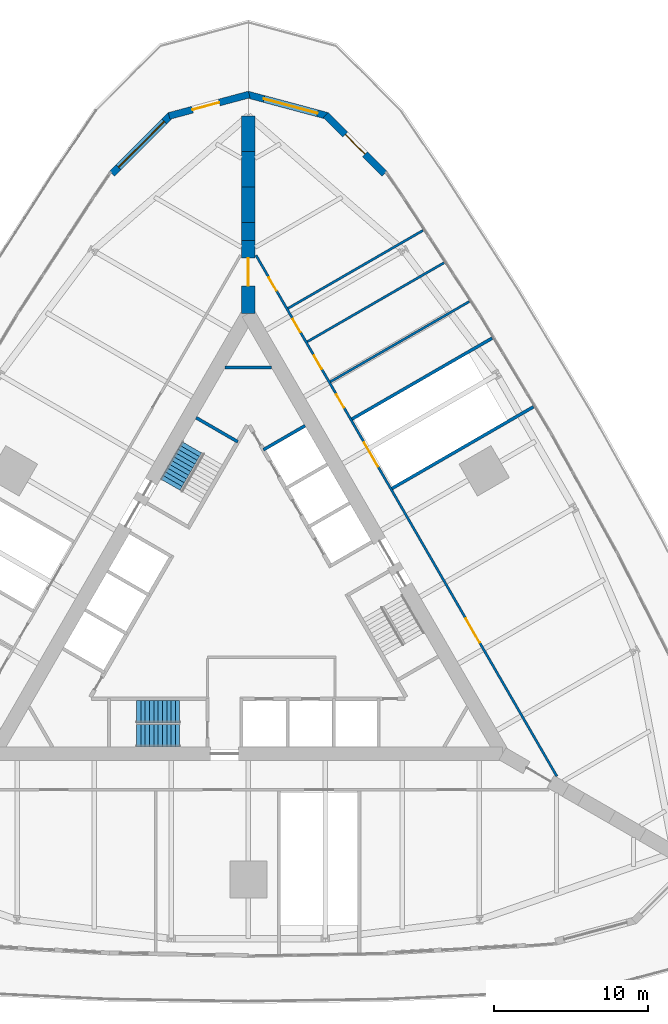
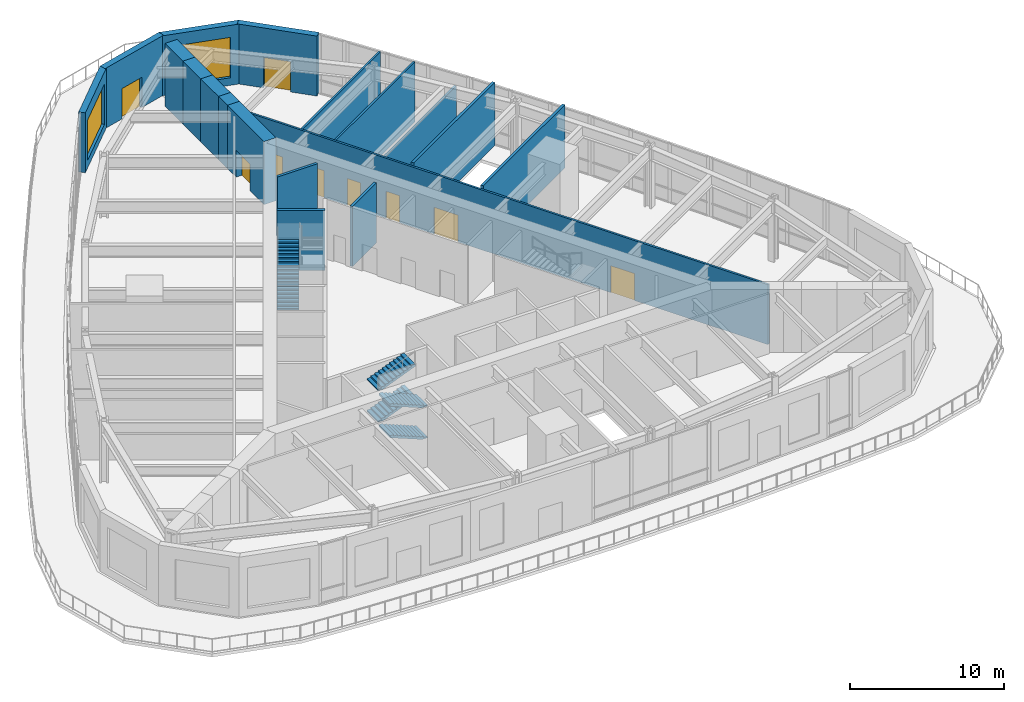
# One storey, part 10 of 13: 18 walls, 9 doors, 6 stair flights, 2 windows, 11 openings, 2 elements without a shape of their own.
"""IFC4 building model written with IfcOpenShell, lengths in metres."""

from ifc_helpers import new_model, si_unit, direction, frame, frame_2d, origin, place, context, subcontext, project, spatial, polyline, rectangle, outline, extrude, material, layer, layer_set, type_object, element, fill, aggregate, save


model = new_model("IFC4")

# Units and contexts
model_context = context("Model", 3, precision=1e-05, world=origin(), true_north=direction((0.0, 1.0)))
body_context = subcontext(model_context, "Body", "Model", "MODEL_VIEW")
ifc_project = project(units=[si_unit("LENGTHUNIT", "METRE"), si_unit("AREAUNIT", "SQUARE_METRE"), si_unit("VOLUMEUNIT", "CUBIC_METRE"), si_unit("PLANEANGLEUNIT", "RADIAN"), si_unit("MASSUNIT", "GRAM", prefix="KILO")], contexts=[model_context])

# Site, building, storey
site_placement = place(None, origin())
site = spatial("IfcSite", under=ifc_project, at=site_placement, CompositionType="ELEMENT")
building_placement = place(site_placement, origin())
building = spatial("IfcBuilding", under=site, at=building_placement, Name="Trikona Tower", CompositionType="ELEMENT")
storey_placement = place(building_placement, frame((0.0, 0.0, 17.5)))
storey = spatial("IfcBuildingStorey", under=building, at=storey_placement, Name="L03", CompositionType="ELEMENT", Elevation=17.5)

# Wall, opening, door
ifc_material_1 = material(Name="Brick-faced precast concrete", Category="masonry")
ifc_layer_1 = layer(ifc_material_1, 0.449951171875)
ifc_layer_set_1 = layer_set([ifc_layer_1], Name="Brick-faced corner wall 450")
wall_type_1 = type_object("IfcWallType", Name="Brick-faced corner wall 450", PredefinedType="SOLIDWALL", material=ifc_layer_set_1)
wall_1_placement = place(storey_placement, frame((8.8408203125, 28.131103515625, 0.0), z_axis=(0.0, 0.0, 1.0), x_axis=(-0.707106781187, 0.707106781187, 0.0)))
wall_1 = element("IfcWall", 1, at=wall_1_placement, inside=storey, type_object=wall_type_1, Name="External wall L03-16", PredefinedType="SOLIDWALL", context=body_context, shape_type="SweptSolid", body=[
    extrude(rectangle(XDim=5.379150390625, YDim=0.449951171875, at=frame_2d((2.689453125, 0.0))), origin(), (0.0, 0.0, 1.0), 4.75),
])
opening_1_placement = place(wall_1_placement, frame((1.789794921875, 0.0, 0.0)))
opening_1 = element("IfcOpeningElement", 2, at=opening_1_placement, cuts=wall_1, Name="Opening D8", PredefinedType="OPENING", context=body_context, shape_type="SweptSolid", body=[
    extrude(rectangle(XDim=1.800048828125, YDim=2.39990234375, at=frame_2d((0.89990234375, 1.199951171875))), frame((0.0, 0.23486328125, 0.0), z_axis=(0.0, -1.0, 0.0), x_axis=(1.0, 0.0, 0.0)), (0.0, 0.0, 1.0), 0.469970703125),
])
ifc_material_2 = material(Name="Aluminium-framed glazed door", Category="aluminium")
door_type_1 = type_object("IfcDoorType", Name="Terrace door pair 1800x2400", OperationType="DOUBLE_DOOR_SINGLE_SWING", PredefinedType="DOOR", material=ifc_material_2)
door_1_placement = place(opening_1_placement, origin())
door_1 = element("IfcDoor", 3, at=door_1_placement, inside=storey, type_object=door_type_1, Name="Terrace door Yoga studio", OperationType="DOUBLE_DOOR_SINGLE_SWING", OverallHeight=2.39990234375, OverallWidth=1.800048828125, PredefinedType="DOOR", context=body_context, shape_type="SweptSolid", body=[
    extrude(rectangle(XDim=1.800048828125, YDim=2.39990234375, at=frame_2d((0.89990234375, 1.199951171875))), frame((0.0, 0.02490234375, 0.0), z_axis=(0.0, -1.0, 0.0), x_axis=(1.0, 0.0, 0.0)), (0.0, 0.0, 1.0), 0.050048828125),
])
fill(opening_1, door_1)

# Wall, opening, window
wall_2_placement = place(storey_placement, frame((5.137939453125, 31.876708984375, 0.0), z_axis=(0.0, 0.0, 1.0), x_axis=(-0.965923133363, 0.258829095032, 0.0)))
wall_2 = element("IfcWall", 4, at=wall_2_placement, inside=storey, type_object=wall_type_1, Name="External wall L03-17", PredefinedType="SOLIDWALL", context=body_context, shape_type="SweptSolid", body=[
    extrude(rectangle(XDim=5.37939453125, YDim=0.449951171875, at=frame_2d((2.689697265625, 0.0))), origin(), (0.0, 0.0, 1.0), 4.75),
])
opening_2_placement = place(wall_2_placement, frame((0.67138671875, 0.0, 0.60009765625)))
opening_2 = element("IfcOpeningElement", 5, at=opening_2_placement, cuts=wall_2, Name="Opening W3632", PredefinedType="OPENING", context=body_context, shape_type="SweptSolid", body=[
    extrude(rectangle(XDim=3.60009765625, YDim=3.199951171875, at=frame_2d((1.800048828125, 1.60009765625))), frame((0.0, 0.23486328125, 0.0), z_axis=(0.0, -1.0, 0.0), x_axis=(1.0, 0.0, 0.0)), (0.0, 0.0, 1.0), 0.469970703125),
])
ifc_material_3 = material(Name="Aluminium-framed double glazing", Category="aluminium")
window_type_1 = type_object("IfcWindowType", Name="Window 3600x3200", PartitioningType="SINGLE_PANEL", PredefinedType="WINDOW", material=ifc_material_3)
window_1_placement = place(opening_2_placement, origin())
window_1 = element("IfcWindow", 6, at=window_1_placement, inside=storey, type_object=window_type_1, Name="Window L03-YOG", OverallHeight=3.199951171875, OverallWidth=3.60009765625, PartitioningType="SINGLE_PANEL", PredefinedType="WINDOW", context=body_context, shape_type="SweptSolid", body=[
    extrude(rectangle(XDim=3.60009765625, YDim=3.199951171875, at=frame_2d((1.800048828125, 1.60009765625))), frame((0.0, 0.030029296875, 0.0), z_axis=(0.0, -1.0, 0.0), x_axis=(1.0, 0.0, 0.0)), (0.0, 0.0, 1.0), 0.06005859375),
])
fill(opening_2, window_1)

# Wall, opening, door
wall_3_placement = place(storey_placement, frame((0.05810546875, 33.26904296875, 0.0), z_axis=(0.0, 0.0, 1.0), x_axis=(-0.965923133363, -0.258829095032, 0.0)))
wall_3 = element("IfcWall", 7, at=wall_3_placement, inside=storey, type_object=wall_type_1, Name="External wall L03-18", PredefinedType="SOLIDWALL", context=body_context, shape_type="SweptSolid", body=[
    extrude(rectangle(XDim=5.37939453125, YDim=0.449951171875, at=frame_2d((2.689697265625, 0.0))), origin(), (0.0, 0.0, 1.0), 4.75),
])
opening_3_placement = place(wall_3_placement, frame((2.008056640625, 0.0, 0.0)))
opening_3 = element("IfcOpeningElement", 8, at=opening_3_placement, cuts=wall_3, Name="Opening D8", PredefinedType="OPENING", context=body_context, shape_type="SweptSolid", body=[
    extrude(rectangle(XDim=1.800048828125, YDim=2.39990234375, at=frame_2d((0.89990234375, 1.199951171875))), frame((0.0, 0.23486328125, 0.0), z_axis=(0.0, -1.0, 0.0), x_axis=(1.0, 0.0, 0.0)), (0.0, 0.0, 1.0), 0.469970703125),
])
door_2_placement = place(opening_3_placement, origin())
door_2 = element("IfcDoor", 9, at=door_2_placement, inside=storey, type_object=door_type_1, Name="Terrace door Business centre", OperationType="DOUBLE_DOOR_SINGLE_SWING", OverallHeight=2.39990234375, OverallWidth=1.800048828125, PredefinedType="DOOR", context=body_context, shape_type="SweptSolid", body=[
    extrude(rectangle(XDim=1.800048828125, YDim=2.39990234375, at=frame_2d((0.89990234375, 1.199951171875))), frame((0.0, 0.02490234375, 0.0), z_axis=(0.0, -1.0, 0.0), x_axis=(1.0, 0.0, 0.0)), (0.0, 0.0, 1.0), 0.050048828125),
])
fill(opening_3, door_2)

# Wall, opening, window
wall_4_placement = place(storey_placement, frame((-5.037109375, 31.934814453125, 0.0), z_axis=(0.0, 0.0, 1.0), x_axis=(-0.707106781187, -0.707106781187, 0.0)))
wall_4 = element("IfcWall", 10, at=wall_4_placement, inside=storey, type_object=wall_type_1, Name="External wall L03-19", PredefinedType="SOLIDWALL", context=body_context, shape_type="SweptSolid", body=[
    extrude(rectangle(XDim=5.379150390625, YDim=0.449951171875, at=frame_2d((2.689453125, 0.0))), origin(), (0.0, 0.0, 1.0), 4.75),
])
opening_4_placement = place(wall_4_placement, frame((0.589599609375, 0.0, 0.60009765625)))
opening_4 = element("IfcOpeningElement", 11, at=opening_4_placement, cuts=wall_4, Name="Opening W4232", PredefinedType="OPENING", context=body_context, shape_type="SweptSolid", body=[
    extrude(rectangle(XDim=4.199951171875, YDim=3.199951171875, at=frame_2d((2.10009765625, 1.60009765625))), frame((0.0, 0.23486328125, 0.0), z_axis=(0.0, -1.0, 0.0), x_axis=(1.0, 0.0, 0.0)), (0.0, 0.0, 1.0), 0.469970703125),
])
ifc_material_4 = material(Name="Aluminium-framed double glazing", Category="aluminium")
window_type_2 = type_object("IfcWindowType", Name="Window 4200x3200", PartitioningType="SINGLE_PANEL", PredefinedType="WINDOW", material=ifc_material_4)
window_2_placement = place(opening_4_placement, origin())
window_2 = element("IfcWindow", 12, at=window_2_placement, inside=storey, type_object=window_type_2, Name="Window L03-BUS", OverallHeight=3.199951171875, OverallWidth=4.199951171875, PartitioningType="SINGLE_PANEL", PredefinedType="WINDOW", context=body_context, shape_type="SweptSolid", body=[
    extrude(rectangle(XDim=4.199951171875, YDim=3.199951171875, at=frame_2d((2.10009765625, 1.60009765625))), frame((0.0, 0.030029296875, 0.0), z_axis=(0.0, -1.0, 0.0), x_axis=(1.0, 0.0, 0.0)), (0.0, 0.0, 1.0), 0.06005859375),
])
fill(opening_4, window_2)

# Wall, opening, door
ifc_material_5 = material(Name="Concrete f'c 10000 psi", Category="concrete")
ifc_layer_2 = layer(ifc_material_5, 0.89990234375)
ifc_layer_set_2 = layer_set([ifc_layer_2], Name="Buttress wall 900")
wall_type_2 = type_object("IfcWallType", Name="Buttress wall 900", PredefinedType="SHEAR", material=ifc_layer_set_2)
wall_5_placement = place(storey_placement, frame((0.0, 19.052490234375, 0.0), z_axis=(0.0, 0.0, 1.0), x_axis=(0.0, 1.0, 0.0)))
wall_5 = element("IfcWall", 13, at=wall_5_placement, inside=storey, type_object=wall_type_2, Name="Buttress wall 2", PredefinedType="SHEAR", context=body_context, shape_type="SweptSolid", body=[
    extrude(rectangle(XDim=4.74609375, YDim=0.89990234375, at=frame_2d((2.373046875, 0.0))), origin(), (0.0, 0.0, 1.0), 5.0),
])
opening_5_placement = place(wall_5_placement, frame((1.800048828125, 0.0, 0.0)))
opening_5 = element("IfcOpeningElement", 14, at=opening_5_placement, cuts=wall_5, Name="Opening D10", PredefinedType="OPENING", context=body_context, shape_type="SweptSolid", body=[
    extrude(rectangle(XDim=1.800048828125, YDim=2.1298828125, at=frame_2d((0.89990234375, 1.06494140625))), frame((0.0, 0.4599609375, 0.0), z_axis=(0.0, -1.0, 0.0), x_axis=(1.0, 0.0, 0.0)), (0.0, 0.0, 1.0), 0.919921875),
])
ifc_material_6 = material(Name="Hollow metal door and frame", Category="steel")
door_type_2 = type_object("IfcDoorType", Name="Cross-corridor door pair 1800x2130", OperationType="DOUBLE_DOOR_DOUBLE_SWING", PredefinedType="DOOR", material=ifc_material_6)
door_3_placement = place(opening_5_placement, origin())
door_3 = element("IfcDoor", 15, at=door_3_placement, inside=storey, type_object=door_type_2, Name="Cross-corridor door 2", OperationType="DOUBLE_DOOR_DOUBLE_SWING", OverallHeight=2.1298828125, OverallWidth=1.800048828125, PredefinedType="DOOR", context=body_context, shape_type="SweptSolid", body=[
    extrude(rectangle(XDim=1.800048828125, YDim=2.1298828125, at=frame_2d((0.89990234375, 1.06494140625))), frame((0.0, 0.02490234375, 0.0), z_axis=(0.0, -1.0, 0.0), x_axis=(1.0, 0.0, 0.0)), (0.0, 0.0, 1.0), 0.050048828125),
])
fill(opening_5, door_3)

# Walls
wall_6_placement = place(storey_placement, frame((0.0, 23.798583984375, 0.0), z_axis=(0.0, 0.0, 1.0), x_axis=(0.0, 1.0, 0.0)))
element("IfcWall", 16, at=wall_6_placement, inside=storey, type_object=wall_type_2, Name="Buttress wall 2 part 2", PredefinedType="SHEAR", context=body_context, shape_type="SweptSolid", body=[
    extrude(rectangle(XDim=1.15478515625, YDim=0.89990234375, at=frame_2d((0.577392578125, 0.0))), origin(), (0.0, 0.0, 1.0), 5.0),
])
wall_7_placement = place(storey_placement, frame((0.0, 24.953369140625, 0.0), z_axis=(0.0, 0.0, 1.0), x_axis=(0.0, 1.0, 0.0)))
element("IfcWall", 17, at=wall_7_placement, inside=storey, type_object=wall_type_2, Name="Buttress wall 2 part 3", PredefinedType="SHEAR", context=body_context, shape_type="SweptSolid", body=[
    extrude(rectangle(XDim=2.309326171875, YDim=0.89990234375, at=frame_2d((1.15478515625, 0.0))), origin(), (0.0, 0.0, 1.0), 5.0),
])
wall_8_placement = place(storey_placement, frame((0.0, 27.2626953125, 0.0), z_axis=(0.0, 0.0, 1.0), x_axis=(0.0, 1.0, 0.0)))
element("IfcWall", 18, at=wall_8_placement, inside=storey, type_object=wall_type_2, Name="Buttress wall 2 part 4", PredefinedType="SHEAR", context=body_context, shape_type="SweptSolid", body=[
    extrude(rectangle(XDim=2.3095703125, YDim=0.89990234375, at=frame_2d((1.15478515625, 0.0))), origin(), (0.0, 0.0, 1.0), 5.0),
])
wall_9_placement = place(storey_placement, frame((0.0, 29.572265625, 0.0), z_axis=(0.0, 0.0, 1.0), x_axis=(0.0, 1.0, 0.0)))
element("IfcWall", 19, at=wall_9_placement, inside=storey, type_object=wall_type_2, Name="Buttress wall 2 part 5", PredefinedType="SHEAR", context=body_context, shape_type="SweptSolid", body=[
    extrude(rectangle(XDim=2.309326171875, YDim=0.89990234375, at=frame_2d((1.15478515625, 0.0))), origin(), (0.0, 0.0, 1.0), 5.0),
])

# Wall, openings, doors
ifc_material_7 = material(Name="Metal stud and gypsum board, 1-hour", Category="gypsum")
ifc_layer_3 = layer(ifc_material_7, 0.14990234375)
ifc_layer_set_3 = layer_set([ifc_layer_3], Name="Corridor wall 150")
wall_type_3 = type_object("IfcWallType", Name="Corridor wall 150", PredefinedType="PARTITIONING", material=ifc_layer_set_3)
wall_10_placement = place(storey_placement, frame((20.027099609375, -10.9853515625, 0.0), z_axis=(0.0, 0.0, 1.0), x_axis=(-0.500001677587, 0.866024435227, 0.0)))
wall_10 = element("IfcWall", 20, at=wall_10_placement, inside=storey, type_object=wall_type_3, Name="Corridor wall L03-2", PredefinedType="PARTITIONING", context=body_context, shape_type="SweptSolid", body=[
    extrude(rectangle(XDim=39.053955078125, YDim=0.14990234375, at=frame_2d((19.52685546875, 0.0))), origin(), (0.0, 0.0, 1.0), 4.75),
])
opening_6_placement = place(wall_10_placement, frame((10.013427734375, 0.0, 0.0)))
opening_6 = element("IfcOpeningElement", 21, at=opening_6_placement, cuts=wall_10, Name="Opening D4", PredefinedType="OPENING", context=body_context, shape_type="SweptSolid", body=[
    extrude(rectangle(XDim=1.800048828125, YDim=2.1298828125, at=frame_2d((0.89990234375, 1.06494140625))), frame((0.0, 0.0849609375, 0.0), z_axis=(0.0, -1.0, 0.0), x_axis=(1.0, 0.0, 0.0)), (0.0, 0.0, 1.0), 0.169921875),
])
opening_7_placement = place(wall_10_placement, frame((23.22705078125, 0.0, 0.0)))
opening_7 = element("IfcOpeningElement", 22, at=opening_7_placement, cuts=wall_10, Name="Opening D11", PredefinedType="OPENING", context=body_context, shape_type="SweptSolid", body=[
    extrude(rectangle(XDim=1.800048828125, YDim=2.1298828125, at=frame_2d((0.89990234375, 1.06494140625))), frame((0.0, 0.0849609375, 0.0), z_axis=(0.0, -1.0, 0.0), x_axis=(1.0, 0.0, 0.0)), (0.0, 0.0, 1.0), 0.169921875),
])
opening_8_placement = place(wall_10_placement, frame((27.626953125, 0.0, 0.0)))
opening_8 = element("IfcOpeningElement", 23, at=opening_8_placement, cuts=wall_10, Name="Opening D3", PredefinedType="OPENING", context=body_context, shape_type="SweptSolid", body=[
    extrude(rectangle(XDim=1.0, YDim=2.1298828125, at=frame_2d((0.5, 1.06494140625))), frame((0.0, 0.0849609375, 0.0), z_axis=(0.0, -1.0, 0.0), x_axis=(1.0, 0.0, 0.0)), (0.0, 0.0, 1.0), 0.169921875),
])
opening_9_placement = place(wall_10_placement, frame((30.527099609375, 0.0, 0.0)))
opening_9 = element("IfcOpeningElement", 24, at=opening_9_placement, cuts=wall_10, Name="Opening D3", PredefinedType="OPENING", context=body_context, shape_type="SweptSolid", body=[
    extrude(rectangle(XDim=1.0, YDim=2.1298828125, at=frame_2d((0.5, 1.06494140625))), frame((0.0, 0.0849609375, 0.0), z_axis=(0.0, -1.0, 0.0), x_axis=(1.0, 0.0, 0.0)), (0.0, 0.0, 1.0), 0.169921875),
])
opening_10_placement = place(wall_10_placement, frame((33.277099609375, 0.0, 0.0)))
opening_10 = element("IfcOpeningElement", 25, at=opening_10_placement, cuts=wall_10, Name="Opening D3", PredefinedType="OPENING", context=body_context, shape_type="SweptSolid", body=[
    extrude(rectangle(XDim=1.0, YDim=2.1298828125, at=frame_2d((0.5, 1.06494140625))), frame((0.0, 0.0849609375, 0.0), z_axis=(0.0, -1.0, 0.0), x_axis=(1.0, 0.0, 0.0)), (0.0, 0.0, 1.0), 0.169921875),
])
opening_11_placement = place(wall_10_placement, frame((36.390380859375, 0.0, 0.0)))
opening_11 = element("IfcOpeningElement", 26, at=opening_11_placement, cuts=wall_10, Name="Opening D3", PredefinedType="OPENING", context=body_context, shape_type="SweptSolid", body=[
    extrude(rectangle(XDim=1.0, YDim=2.1298828125, at=frame_2d((0.5, 1.06494140625))), frame((0.0, 0.0849609375, 0.0), z_axis=(0.0, -1.0, 0.0), x_axis=(1.0, 0.0, 0.0)), (0.0, 0.0, 1.0), 0.169921875),
])
ifc_material_8 = material(Name="Steel door frame with solid-core timber leaf", Category="steel")
door_type_3 = type_object("IfcDoorType", Name="Assembly door pair 1800x2130", OperationType="DOUBLE_DOOR_SINGLE_SWING", PredefinedType="DOOR", material=ifc_material_8)
door_4_placement = place(opening_6_placement, origin())
door_4 = element("IfcDoor", 27, at=door_4_placement, inside=storey, type_object=door_type_3, Name="Door Fitness centre", OperationType="DOUBLE_DOOR_SINGLE_SWING", OverallHeight=2.1298828125, OverallWidth=1.800048828125, PredefinedType="DOOR", context=body_context, shape_type="SweptSolid", body=[
    extrude(rectangle(XDim=1.800048828125, YDim=2.1298828125, at=frame_2d((0.89990234375, 1.06494140625))), frame((0.0, 0.02490234375, 0.0), z_axis=(0.0, -1.0, 0.0), x_axis=(1.0, 0.0, 0.0)), (0.0, 0.0, 1.0), 0.050048828125),
])
fill(opening_6, door_4)
ifc_material_9 = material(Name="Hollow metal door and frame", Category="steel")
door_type_4 = type_object("IfcDoorType", Name="Podium stair door 1800x2130", OperationType="DOUBLE_DOOR_SINGLE_SWING", PredefinedType="DOOR", material=ifc_material_9)
door_5_placement = place(opening_7_placement, origin())
door_5 = element("IfcDoor", 28, at=door_5_placement, inside=storey, type_object=door_type_4, Name="Stair door Podium stair PS2", OperationType="DOUBLE_DOOR_SINGLE_SWING", OverallHeight=2.1298828125, OverallWidth=1.800048828125, PredefinedType="DOOR", context=body_context, shape_type="SweptSolid", body=[
    extrude(rectangle(XDim=1.800048828125, YDim=2.1298828125, at=frame_2d((0.89990234375, 1.06494140625))), frame((0.0, 0.02490234375, 0.0), z_axis=(0.0, -1.0, 0.0), x_axis=(1.0, 0.0, 0.0)), (0.0, 0.0, 1.0), 0.050048828125),
])
fill(opening_7, door_5)
ifc_material_10 = material(Name="Steel door frame with solid-core timber leaf", Category="steel")
door_type_5 = type_object("IfcDoorType", Name="Room door 1000x2130", OperationType="SINGLE_SWING_LEFT", PredefinedType="DOOR", material=ifc_material_10)
door_6_placement = place(opening_8_placement, origin())
door_6 = element("IfcDoor", 29, at=door_6_placement, inside=storey, type_object=door_type_5, Name="Door Men's toilets", OperationType="SINGLE_SWING_LEFT", OverallHeight=2.1298828125, OverallWidth=1.0, PredefinedType="DOOR", context=body_context, shape_type="SweptSolid", body=[
    extrude(rectangle(XDim=1.0, YDim=2.1298828125, at=frame_2d((0.5, 1.06494140625))), frame((0.0, 0.02490234375, 0.0), z_axis=(0.0, -1.0, 0.0), x_axis=(1.0, 0.0, 0.0)), (0.0, 0.0, 1.0), 0.050048828125),
])
fill(opening_8, door_6)
door_7_placement = place(opening_9_placement, origin())
door_7 = element("IfcDoor", 30, at=door_7_placement, inside=storey, type_object=door_type_5, Name="Door Women's toilets", OperationType="SINGLE_SWING_RIGHT", OverallHeight=2.1298828125, OverallWidth=1.0, PredefinedType="DOOR", context=body_context, shape_type="SweptSolid", body=[
    extrude(rectangle(XDim=1.0, YDim=2.1298828125, at=frame_2d((0.5, 1.06494140625))), frame((0.0, 0.02490234375, 0.0), z_axis=(0.0, -1.0, 0.0), x_axis=(1.0, 0.0, 0.0)), (0.0, 0.0, 1.0), 0.050048828125),
])
fill(opening_9, door_7)
door_8_placement = place(opening_10_placement, origin())
door_8 = element("IfcDoor", 31, at=door_8_placement, inside=storey, type_object=door_type_5, Name="Door Accessible WC", OperationType="SINGLE_SWING_LEFT", OverallHeight=2.1298828125, OverallWidth=1.0, PredefinedType="DOOR", context=body_context, shape_type="SweptSolid", body=[
    extrude(rectangle(XDim=1.0, YDim=2.1298828125, at=frame_2d((0.5, 1.06494140625))), frame((0.0, 0.02490234375, 0.0), z_axis=(0.0, -1.0, 0.0), x_axis=(1.0, 0.0, 0.0)), (0.0, 0.0, 1.0), 0.050048828125),
])
fill(opening_10, door_8)
door_9_placement = place(opening_11_placement, origin())
door_9 = element("IfcDoor", 32, at=door_9_placement, inside=storey, type_object=door_type_5, Name="Door Yoga studio", OperationType="SINGLE_SWING_RIGHT", OverallHeight=2.1298828125, OverallWidth=1.0, PredefinedType="DOOR", context=body_context, shape_type="SweptSolid", body=[
    extrude(rectangle(XDim=1.0, YDim=2.1298828125, at=frame_2d((0.5, 1.06494140625))), frame((0.0, 0.02490234375, 0.0), z_axis=(0.0, -1.0, 0.0), x_axis=(1.0, 0.0, 0.0)), (0.0, 0.0, 1.0), 0.050048828125),
])
fill(opening_11, door_9)

# Walls
ifc_material_11 = material(Name="Metal stud and gypsum board, 1-hour acoustic", Category="gypsum")
ifc_layer_4 = layer(ifc_material_11, 0.14990234375)
ifc_layer_set_4 = layer_set([ifc_layer_4], Name="Party wall 150")
wall_type_4 = type_object("IfcWallType", Name="Party wall 150", PredefinedType="PARTITIONING", material=ifc_layer_set_4)
wall_11_placement = place(storey_placement, frame((5.32861328125, 14.623291015625, 0.0), z_axis=(0.0, 0.0, 1.0), x_axis=(0.866015347915, 0.500017416873, 0.0)))
element("IfcWall", 33, at=wall_11_placement, inside=storey, type_object=wall_type_4, Name="Partition L03 F2 u10", PredefinedType="PARTITIONING", context=body_context, shape_type="SweptSolid", body=[
    extrude(rectangle(XDim=10.412841796875, YDim=0.14990234375, at=frame_2d((5.20654296875, 0.0))), origin(), (0.0, 0.0, 1.0), 3.8076171875),
])
wall_12_placement = place(storey_placement, frame((3.82861328125, 17.221435546875, 0.0), z_axis=(0.0, 0.0, 1.0), x_axis=(0.86601543224, 0.500017270824, 0.0)))
element("IfcWall", 34, at=wall_12_placement, inside=storey, type_object=wall_type_4, Name="Partition L03 F2 u13", PredefinedType="PARTITIONING", context=body_context, shape_type="SweptSolid", body=[
    extrude(rectangle(XDim=10.250732421875, YDim=0.14990234375, at=frame_2d((5.12548828125, 0.0))), origin(), (0.0, 0.0, 1.0), 4.75),
])
wall_13_placement = place(storey_placement, frame((2.57861328125, 19.386474609375, 0.0), z_axis=(0.0, 0.0, 1.0), x_axis=(0.866026027784, 0.499998919199, 0.0)))
element("IfcWall", 35, at=wall_13_placement, inside=storey, type_object=wall_type_4, Name="Partition L03 F2 u15.5", PredefinedType="PARTITIONING", context=body_context, shape_type="SweptSolid", body=[
    extrude(rectangle(XDim=10.11572265625, YDim=0.14990234375, at=frame_2d((5.057861328125, 0.0))), origin(), (0.0, 0.0, 1.0), 4.75),
])
ifc_material_12 = material(Name="Concrete f'c 8000 psi", Category="concrete")
ifc_layer_5 = layer(ifc_material_12, 0.199951171875)
ifc_layer_set_5 = layer_set([ifc_layer_5], Name="Shaft wall 200")
wall_type_5 = type_object("IfcWallType", Name="Shaft wall 200", PredefinedType="SOLIDWALL", material=ifc_layer_set_5)
wall_14_placement = place(storey_placement, frame((0.97900390625, 10.20703125, 0.0), z_axis=(0.0, 0.0, 1.0), x_axis=(0.866022959057, 0.500004234368, 0.0)))
element("IfcWall", 36, at=wall_14_placement, inside=storey, type_object=wall_type_5, Name="Shaft wall B6", PredefinedType="SOLIDWALL", context=body_context, shape_type="SweptSolid", body=[
    extrude(rectangle(XDim=3.125, YDim=0.199951171875, at=frame_2d((1.5625, 0.0))), origin(), (0.0, 0.0, 1.0), 4.75),
])
wall_15_placement = place(storey_placement, frame((-1.501220703125, 15.552490234375, 0.0), z_axis=(0.0, 0.0, 1.0), x_axis=(1.0, 0.0, 0.0)))
element("IfcWall", 37, at=wall_15_placement, inside=storey, type_object=wall_type_5, Name="Riser wall L03-RS2", PredefinedType="SOLIDWALL", context=body_context, shape_type="SweptSolid", body=[
    extrude(rectangle(XDim=3.00244140625, YDim=0.199951171875, at=frame_2d((1.501220703125, 0.0))), origin(), (0.0, 0.0, 1.0), 4.75),
])
ifc_material_13 = material(Name="Concrete f'c 8000 psi", Category="concrete")
ifc_layer_6 = layer(ifc_material_13, 0.199951171875)
ifc_layer_set_6 = layer_set([ifc_layer_6], Name="Shaft wall 200 load-bearing")
wall_type_6 = type_object("IfcWallType", Name="Shaft wall 200 load-bearing", PredefinedType="SOLIDWALL", material=ifc_layer_set_6)
wall_16_placement = place(storey_placement, frame((-0.678955078125, 10.7265625, 0.0), z_axis=(0.0, 0.0, 1.0), x_axis=(-0.866022959057, 0.500004234368, 0.0)))
element("IfcWall", 38, at=wall_16_placement, inside=storey, type_object=wall_type_6, Name="Shaft wall C1", PredefinedType="SOLIDWALL", context=body_context, shape_type="SweptSolid", body=[
    extrude(rectangle(XDim=3.125, YDim=0.199951171875, at=frame_2d((1.5625, 0.0))), origin(), (0.0, 0.0, 1.0), 4.75),
])
ifc_material_14 = material(Name="Concrete f'c 6000 psi", Category="concrete")
ifc_layer_7 = layer(ifc_material_14, 0.199951171875)
ifc_layer_set_7 = layer_set([ifc_layer_7], Name="Stair enclosure wall 200")
wall_type_7 = type_object("IfcWallType", Name="Stair enclosure wall 200", PredefinedType="SHEAR", material=ifc_layer_set_7)
wall_17_placement = place(storey_placement, frame((9.32861328125, 7.6953125, 0.0), z_axis=(0.0, 0.0, 1.0), x_axis=(0.866032486376, 0.49998773239, 0.0)))
element("IfcWall", 39, at=wall_17_placement, inside=storey, type_object=wall_type_7, Name="Stair enclosure L03 F2 u2", PredefinedType="SHEAR", context=body_context, shape_type="SweptSolid", body=[
    extrude(rectangle(XDim=10.595458984375, YDim=0.199951171875, at=frame_2d((5.2978515625, 0.0))), origin(), (0.0, 0.0, 1.0), 5.0),
])
wall_18_placement = place(storey_placement, frame((6.728515625, 12.198486328125, 0.0), z_axis=(0.0, 0.0, 1.0), x_axis=(0.866025701527, 0.499999484295, 0.0)))
element("IfcWall", 40, at=wall_18_placement, inside=storey, type_object=wall_type_7, Name="Stair enclosure L03 F2 u7.2", PredefinedType="SHEAR", context=body_context, shape_type="SweptSolid", body=[
    extrude(rectangle(XDim=10.501953125, YDim=0.199951171875, at=frame_2d((5.2509765625, 0.0))), origin(), (0.0, 0.0, 1.0), 5.0),
])

# Stair, stair flights
ifc_material_15 = material(Name="Concrete f'c 5000 psi", Category="concrete")
stair_type = type_object("IfcStairType", Name="Core stair", PredefinedType="HALF_TURN_STAIR", material=ifc_material_15)
stair_1_placement = place(storey_placement, origin())
stair_1 = element("IfcStair", 41, at=stair_1_placement, inside=storey, type_object=stair_type, Name="Stair A L03", PredefinedType="HALF_TURN_STAIR")
ifc_material_16 = material(Name="Concrete f'c 5000 psi", Category="concrete")
stair_flight_type = type_object("IfcStairFlightType", Name="Core stair flight 1450", PredefinedType="STRAIGHT", material=ifc_material_16)
stair_flight_1_placement = place(storey_placement, frame((-4.449951171875, -8.351318359375, 0.0), z_axis=(0.0, 0.0, 1.0), x_axis=(-1.0, 0.0, 0.0)))
stair_flight_1 = element("IfcStairFlight", 42, at=stair_flight_1_placement, type_object=stair_flight_type, Name="ST-A flight 1", NumberOfRisers=11, NumberOfTreads=10, PredefinedType="STRAIGHT", RiserHeight=0.113636, TreadLength=0.28, context=body_context, shape_type="SweptSolid", body=[
    extrude(outline(polyline([(0.0, 0.0), (0.0, 0.113525390625), (0.280029296875, 0.113525390625), (0.280029296875, 0.227294921875), (0.56005859375, 0.227294921875), (0.56005859375, 0.3408203125), (0.840087890625, 0.3408203125), (0.840087890625, 0.45458984375), (1.1201171875, 0.45458984375), (1.1201171875, 0.568115234375), (1.39990234375, 0.568115234375), (1.39990234375, 0.681884765625), (1.679931640625, 0.681884765625), (1.679931640625, 0.79541015625), (1.9599609375, 0.79541015625), (1.9599609375, 0.9091796875), (2.239990234375, 0.9091796875), (2.239990234375, 1.022705078125), (2.52001953125, 1.022705078125), (2.52001953125, 1.136474609375), (2.800048828125, 1.136474609375), (2.800048828125, 1.25), (2.800048828125, 0.974609375), (0.398681640625, 0.0), (0.0, 0.0)])), frame((0.0, 0.72509765625, 0.0), z_axis=(0.0, -1.0, 0.0), x_axis=(1.0, 0.0, 0.0)), (0.0, 0.0, 1.0), 1.449951171875),
])
stair_flight_2_placement = place(storey_placement, frame((-7.25, -6.80126953125, 1.25), z_axis=(0.0, 0.0, 1.0), x_axis=(1.0, 0.0, 0.0)))
stair_flight_2 = element("IfcStairFlight", 43, at=stair_flight_2_placement, type_object=stair_flight_type, Name="ST-A flight 2", NumberOfRisers=11, NumberOfTreads=10, PredefinedType="STRAIGHT", RiserHeight=0.113636, TreadLength=0.28, context=body_context, shape_type="SweptSolid", body=[
    extrude(outline(polyline([(0.0, 0.0), (0.0, 0.113525390625), (0.280029296875, 0.113525390625), (0.280029296875, 0.227294921875), (0.56005859375, 0.227294921875), (0.56005859375, 0.3408203125), (0.840087890625, 0.3408203125), (0.840087890625, 0.45458984375), (1.1201171875, 0.45458984375), (1.1201171875, 0.568115234375), (1.39990234375, 0.568115234375), (1.39990234375, 0.681884765625), (1.679931640625, 0.681884765625), (1.679931640625, 0.79541015625), (1.9599609375, 0.79541015625), (1.9599609375, 0.9091796875), (2.239990234375, 0.9091796875), (2.239990234375, 1.022705078125), (2.52001953125, 1.022705078125), (2.52001953125, 1.136474609375), (2.800048828125, 1.136474609375), (2.800048828125, 1.25), (2.800048828125, 0.974609375), (0.398681640625, 0.0), (0.0, 0.0)])), frame((0.0, 0.72509765625, 0.0), z_axis=(0.0, -1.0, 0.0), x_axis=(1.0, 0.0, 0.0)), (0.0, 0.0, 1.0), 1.449951171875),
])
stair_flight_3_placement = place(storey_placement, frame((-4.449951171875, -8.351318359375, 2.5), z_axis=(0.0, 0.0, 1.0), x_axis=(-1.0, 0.0, 0.0)))
stair_flight_3 = element("IfcStairFlight", 44, at=stair_flight_3_placement, type_object=stair_flight_type, Name="ST-A flight 3", NumberOfRisers=11, NumberOfTreads=10, PredefinedType="STRAIGHT", RiserHeight=0.113636, TreadLength=0.28, context=body_context, shape_type="SweptSolid", body=[
    extrude(outline(polyline([(0.0, 0.0), (0.0, 0.113525390625), (0.280029296875, 0.113525390625), (0.280029296875, 0.227294921875), (0.56005859375, 0.227294921875), (0.56005859375, 0.3408203125), (0.840087890625, 0.3408203125), (0.840087890625, 0.45458984375), (1.1201171875, 0.45458984375), (1.1201171875, 0.568115234375), (1.39990234375, 0.568115234375), (1.39990234375, 0.681884765625), (1.679931640625, 0.681884765625), (1.679931640625, 0.79541015625), (1.9599609375, 0.79541015625), (1.9599609375, 0.9091796875), (2.239990234375, 0.9091796875), (2.239990234375, 1.022705078125), (2.52001953125, 1.022705078125), (2.52001953125, 1.136474609375), (2.800048828125, 1.136474609375), (2.800048828125, 1.25), (2.800048828125, 0.974609375), (0.398681640625, 0.0), (0.0, 0.0)])), frame((0.0, 0.72509765625, 0.0), z_axis=(0.0, -1.0, 0.0), x_axis=(1.0, 0.0, 0.0)), (0.0, 0.0, 1.0), 1.449951171875),
])
stair_flight_4_placement = place(storey_placement, frame((-7.25, -6.80126953125, 3.75), z_axis=(0.0, 0.0, 1.0), x_axis=(1.0, 0.0, 0.0)))
stair_flight_4 = element("IfcStairFlight", 45, at=stair_flight_4_placement, type_object=stair_flight_type, Name="ST-A flight 4", NumberOfRisers=11, NumberOfTreads=10, PredefinedType="STRAIGHT", RiserHeight=0.113636, TreadLength=0.28, context=body_context, shape_type="SweptSolid", body=[
    extrude(outline(polyline([(0.0, 0.0), (0.0, 0.113525390625), (0.280029296875, 0.113525390625), (0.280029296875, 0.227294921875), (0.56005859375, 0.227294921875), (0.56005859375, 0.3408203125), (0.840087890625, 0.3408203125), (0.840087890625, 0.45458984375), (1.1201171875, 0.45458984375), (1.1201171875, 0.568115234375), (1.39990234375, 0.568115234375), (1.39990234375, 0.681884765625), (1.679931640625, 0.681884765625), (1.679931640625, 0.79541015625), (1.9599609375, 0.79541015625), (1.9599609375, 0.9091796875), (2.239990234375, 0.9091796875), (2.239990234375, 1.022705078125), (2.52001953125, 1.022705078125), (2.52001953125, 1.136474609375), (2.800048828125, 1.136474609375), (2.800048828125, 1.25), (2.800048828125, 0.974609375), (0.398681640625, 0.0), (0.0, 0.0)])), frame((0.0, 0.72509765625, 0.0), z_axis=(0.0, -1.0, 0.0), x_axis=(1.0, 0.0, 0.0)), (0.0, 0.0, 1.0), 1.449951171875),
])
aggregate(stair_1, [stair_flight_1, stair_flight_2, stair_flight_3, stair_flight_4])

stair_2_placement = place(storey_placement, origin())
stair_2 = element("IfcStair", 46, at=stair_2_placement, inside=storey, type_object=stair_type, Name="Stair C L03", PredefinedType="HALF_TURN_STAIR")
stair_flight_5_placement = place(storey_placement, frame((-5.057373046875, 7.94287109375, 0.0), z_axis=(0.0, 0.0, 1.0), x_axis=(0.5, 0.866025403784, 0.0)))
stair_flight_5 = element("IfcStairFlight", 47, at=stair_flight_5_placement, type_object=stair_flight_type, Name="ST-C flight 1", NumberOfRisers=11, NumberOfTreads=10, PredefinedType="STRAIGHT", RiserHeight=0.113636, TreadLength=0.28, context=body_context, shape_type="SweptSolid", body=[
    extrude(outline(polyline([(0.0, 0.0), (0.0, 0.113525390625), (0.280029296875, 0.113525390625), (0.280029296875, 0.227294921875), (0.56005859375, 0.227294921875), (0.56005859375, 0.3408203125), (0.840087890625, 0.3408203125), (0.840087890625, 0.45458984375), (1.1201171875, 0.45458984375), (1.1201171875, 0.568115234375), (1.39990234375, 0.568115234375), (1.39990234375, 0.681884765625), (1.679931640625, 0.681884765625), (1.679931640625, 0.79541015625), (1.9599609375, 0.79541015625), (1.9599609375, 0.9091796875), (2.239990234375, 0.9091796875), (2.239990234375, 1.022705078125), (2.52001953125, 1.022705078125), (2.52001953125, 1.136474609375), (2.800048828125, 1.136474609375), (2.800048828125, 1.25), (2.800048828125, 0.974609375), (0.398681640625, 0.0), (0.0, 0.0)])), frame((0.0, 0.72509765625, 0.0), z_axis=(0.0, -1.0, 0.0), x_axis=(1.0, 0.0, 0.0)), (0.0, 0.0, 1.0), 1.449951171875),
])
stair_flight_6_placement = place(storey_placement, frame((-5.057373046875, 7.94287109375, 2.5), z_axis=(0.0, 0.0, 1.0), x_axis=(0.5, 0.866025403784, 0.0)))
stair_flight_6 = element("IfcStairFlight", 48, at=stair_flight_6_placement, type_object=stair_flight_type, Name="ST-C flight 3", NumberOfRisers=11, NumberOfTreads=10, PredefinedType="STRAIGHT", RiserHeight=0.113636, TreadLength=0.28, context=body_context, shape_type="SweptSolid", body=[
    extrude(outline(polyline([(0.0, 0.0), (0.0, 0.113525390625), (0.280029296875, 0.113525390625), (0.280029296875, 0.227294921875), (0.56005859375, 0.227294921875), (0.56005859375, 0.3408203125), (0.840087890625, 0.3408203125), (0.840087890625, 0.45458984375), (1.1201171875, 0.45458984375), (1.1201171875, 0.568115234375), (1.39990234375, 0.568115234375), (1.39990234375, 0.681884765625), (1.679931640625, 0.681884765625), (1.679931640625, 0.79541015625), (1.9599609375, 0.79541015625), (1.9599609375, 0.9091796875), (2.239990234375, 0.9091796875), (2.239990234375, 1.022705078125), (2.52001953125, 1.022705078125), (2.52001953125, 1.136474609375), (2.800048828125, 1.136474609375), (2.800048828125, 1.25), (2.800048828125, 0.974609375), (0.398681640625, 0.0), (0.0, 0.0)])), frame((0.0, 0.72509765625, 0.0), z_axis=(0.0, -1.0, 0.0), x_axis=(1.0, 0.0, 0.0)), (0.0, 0.0, 1.0), 1.449951171875),
])
aggregate(stair_2, [stair_flight_5, stair_flight_6])

save(model, "model.ifc")
